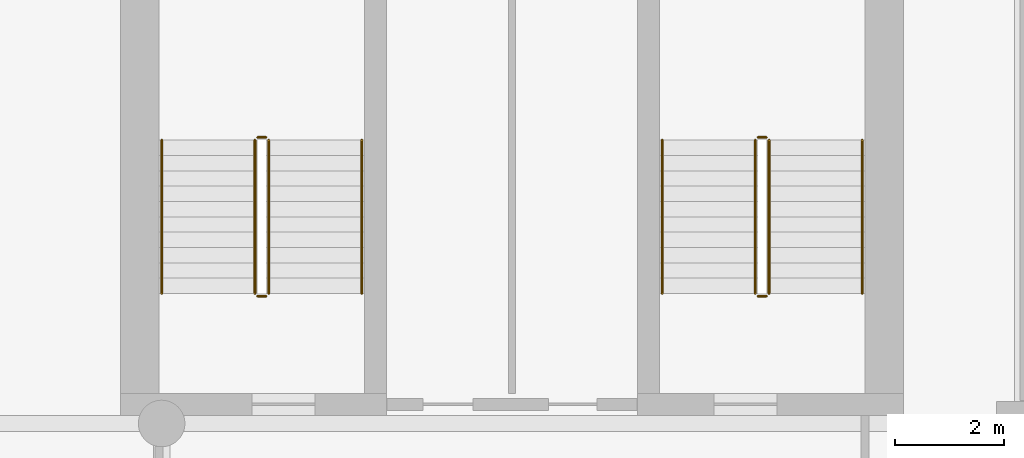
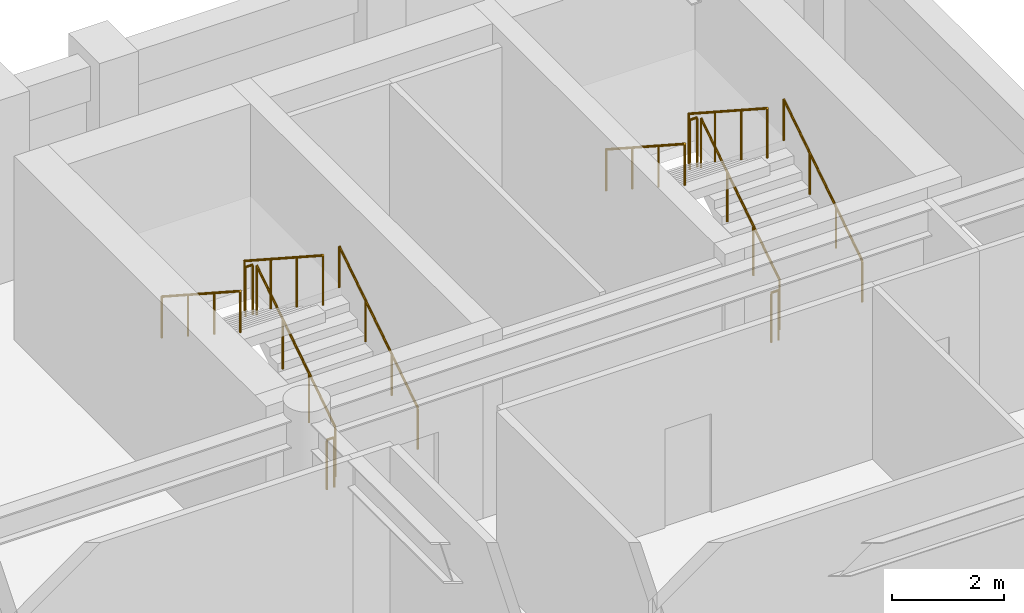
# One storey, part 8 of 8: 12 railings.
"""IFC4 building model written with IfcOpenShell, lengths in metres."""

import ifcopenshell
import ifcopenshell.guid

model = None  # the IFC model being written
_history = None  # IfcOwnerHistory: only IFC2X3 demands one
_inside = {}  # id of a spatial element -> (the spatial element, [elements in it])
_under = {}  # id of a project, library or spatial element -> (it, [spatial elements below it])
_declared = {}  # id of a project -> (the project, [libraries it declares])
_typed = {}  # id of a type object -> (the type object, [elements of that type])
_made_of = {}  # id of a material, layer set ... -> (it, [elements and type objects made of it])


def new_model(schema):
    """Start an empty IFC model of exactly this schema.

    Asked for "IFC4X3", IfcOpenShell would pick the latest addendum, in which some entities
    have other attributes; the version numbers below select the first issue.
    IFC2X3 requires an IfcOwnerHistory on every rooted entity: one is made here for all.
    """
    global model, _history
    if schema == "IFC4X3":
        model = ifcopenshell.file(schema_version=(4, 3, 0, 0))
    else:
        model = ifcopenshell.file(schema=schema)
    _inside.clear()
    _under.clear()
    _declared.clear()
    _typed.clear()
    _made_of.clear()
    _history = None
    if model.schema == "IFC2X3":
        org = make("IfcOrganization", Name="unknown")
        user = make(
            "IfcPersonAndOrganization",
            ThePerson=make("IfcPerson", FamilyName="unknown"),
            TheOrganization=org,
        )
        app = make(
            "IfcApplication",
            ApplicationDeveloper=org,
            Version="unknown",
            ApplicationFullName="unknown",
            ApplicationIdentifier="unknown",
        )
        _history = make(
            "IfcOwnerHistory",
            OwningUser=user,
            OwningApplication=app,
            ChangeAction="ADDED",
            CreationDate=0,
        )
    return model


def make(cls, **values):
    """One entity of the class cls with the attributes given. An attribute that is None is left unset."""
    return model.create_entity(
        cls, **{name: value for name, value in values.items() if value is not None}
    )


def rooted(cls, **values):
    """An entity with a GlobalId (a new one), such as an element, a storey or a relation."""
    return make(cls, GlobalId=ifcopenshell.guid.new(), OwnerHistory=_history, **values)


def si_unit(unit_type, name, prefix=None):
    """IfcSIUnit, for example si_unit("LENGTHUNIT", "METRE", prefix="MILLI")."""
    return make("IfcSIUnit", UnitType=unit_type, Prefix=prefix, Name=name)


def assignment(units):
    """IfcUnitAssignment: the units of a project."""
    return None if units is None else make("IfcUnitAssignment", Units=units)


def point(xyz):
    """IfcCartesianPoint."""
    return None if xyz is None else make("IfcCartesianPoint", Coordinates=xyz)


def direction(xyz):
    """IfcDirection."""
    return None if xyz is None else make("IfcDirection", DirectionRatios=xyz)


def frame(location, z_axis=None, x_axis=None):
    """IfcAxis2Placement3D, a coordinate frame: its origin and axes. An axis left out is left unset."""
    return make(
        "IfcAxis2Placement3D",
        Location=point(location),
        Axis=direction(z_axis),
        RefDirection=direction(x_axis),
    )


def frame_2d(location, x_axis=None):
    """IfcAxis2Placement2D, a coordinate frame in the plane: its origin and x axis."""
    return make(
        "IfcAxis2Placement2D", Location=point(location), RefDirection=direction(x_axis)
    )


def origin():
    """The frame at (0, 0, 0) with its axes left unset."""
    return frame((0.0, 0.0, 0.0))


def origin_2d():
    """The frame at (0, 0) in the plane with its x axis left unset."""
    return frame_2d((0.0, 0.0))


def place(relative_to, where):
    """IfcLocalPlacement: puts the frame where relative to a parent placement (None: the world)."""
    return make(
        "IfcLocalPlacement", PlacementRelTo=relative_to, RelativePlacement=where
    )


def context(
    kind, dimensions, precision=None, world=None, true_north=None, identifier=None
):
    """IfcGeometricRepresentationContext, for example the 3D "Model" context."""
    return make(
        "IfcGeometricRepresentationContext",
        ContextIdentifier=identifier,
        ContextType=kind,
        CoordinateSpaceDimension=dimensions,
        Precision=precision,
        WorldCoordinateSystem=world,
        TrueNorth=true_north,
    )


def subcontext(parent, identifier, kind, view, scale=None):
    """IfcGeometricRepresentationSubContext, for example "Body" below "Model"."""
    return make(
        "IfcGeometricRepresentationSubContext",
        ContextIdentifier=identifier,
        ContextType=kind,
        ParentContext=parent,
        TargetScale=scale,
        TargetView=view,
    )


def project(units=None, contexts=None):
    """IfcProject with its units and contexts."""
    return rooted(
        "IfcProject",
        Name="project",
        RepresentationContexts=contexts,
        UnitsInContext=assignment(units),
    )


def spatial(cls, under=None, at=None, **own):
    """A site, building, storey or space (cls), placed at a placement, below another one or the project."""
    s = rooted(cls, ObjectPlacement=at, **own)
    if under is not None:
        _under.setdefault(under.id(), (under, []))[1].append(s)
    return s


def profile(cls, at=None, kind="AREA", **sizes):
    """A parametric profile (cls). Its sizes go by their IFC names, for example OverallWidth=200.0."""
    return make(cls, ProfileType=kind, Position=at, **sizes)


def circle(**sizes):
    """IfcCircleProfileDef."""
    return profile("IfcCircleProfileDef", **sizes)


def extrude(swept, where, along, depth):
    """IfcExtrudedAreaSolid: the profile swept, set in the frame where, extruded along a direction by depth."""
    return make(
        "IfcExtrudedAreaSolid",
        SweptArea=swept,
        Position=where,
        ExtrudedDirection=direction(along),
        Depth=depth,
    )


def shape(context_of_items, identifier, shape_type, items):
    """IfcShapeRepresentation: the items that make up one representation, for example the "Body"."""
    return make(
        "IfcShapeRepresentation",
        ContextOfItems=context_of_items,
        RepresentationIdentifier=identifier,
        RepresentationType=shape_type,
        Items=items,
    )


def material(Name=None, Category=None):
    """IfcMaterial."""
    return make("IfcMaterial", Name=Name, Category=Category)


def made_of(thing, what):
    """Note that an element or type object is made of a material, layer set ...; save() writes the relation."""
    if what is not None:
        _made_of.setdefault(what.id(), (what, []))[1].append(thing)
    return thing


def type_object(cls, material=None, **own):
    """A type object (cls), such as IfcWallType, which elements share."""
    return made_of(rooted(cls, **own), material)


def element(
    cls,
    number,
    at=None,
    inside=None,
    cuts=None,
    type_object=None,
    material=None,
    context=None,
    identifier="Body",
    shape_type=None,
    held_by="IfcProductDefinitionShape",
    body=None,
    shapes=None,
    **own,
):
    """One element of the class cls, such as IfcWall. Its Tag is "e" and its number.

    at: its placement. inside: the storey or other place that contains it. cuts: it is an
    opening in that element (IfcRelVoidsElement). A single representation is given by context,
    identifier, shape_type and body (its items); several are given by shapes. held_by: the class
    of the entity that holds the representations. save() writes the other relations.
    """
    e = rooted(cls, Tag="e%d" % number, ObjectPlacement=at, **own)
    if body is not None:
        shapes = [shape(context, identifier, shape_type, body)]
    if shapes is not None:
        e.Representation = make(held_by, Representations=shapes)
    if inside is not None:
        _inside.setdefault(inside.id(), (inside, []))[1].append(e)
    if cuts is not None:
        rooted(
            "IfcRelVoidsElement", RelatingBuildingElement=cuts, RelatedOpeningElement=e
        )
    if type_object is not None:
        _typed.setdefault(type_object.id(), (type_object, []))[1].append(e)
    return made_of(e, material)


def aggregate(whole, parts):
    """IfcRelAggregates: a whole, such as a stair, and the parts it consists of."""
    return rooted("IfcRelAggregates", RelatingObject=whole, RelatedObjects=parts)


def save(model, path):
    """Write the relations noted so far, then the file.

    IfcRelAggregates (storeys below a building ...), IfcRelContainedInSpatialStructure (elements
    in a storey), IfcRelDefinesByType, IfcRelAssociatesMaterial and IfcRelDeclares: one each for
    every whole, place, type object, material and project.
    """
    for whole, parts in _under.values():
        aggregate(whole, parts)
    for where, things in _inside.values():
        rooted(
            "IfcRelContainedInSpatialStructure",
            RelatedElements=things,
            RelatingStructure=where,
        )
    for kind, things in _typed.values():
        rooted("IfcRelDefinesByType", RelatedObjects=things, RelatingType=kind)
    for what, things in _made_of.values():
        rooted("IfcRelAssociatesMaterial", RelatedObjects=things, RelatingMaterial=what)
    for by, libraries in _declared.values():
        rooted("IfcRelDeclares", RelatingContext=by, RelatedDefinitions=libraries)
    model.write(path)


model = new_model("IFC4")

# Units and contexts
model_context = context("Model", 3, precision=1e-05, world=origin(), true_north=direction((0.0, 1.0)))
body_context = subcontext(model_context, "Body", "Model", "MODEL_VIEW")
ifc_project = project(units=[si_unit("LENGTHUNIT", "METRE"), si_unit("AREAUNIT", "SQUARE_METRE"), si_unit("VOLUMEUNIT", "CUBIC_METRE"), si_unit("PLANEANGLEUNIT", "RADIAN"), si_unit("MASSUNIT", "GRAM", prefix="KILO")], contexts=[model_context])

# Site, building, storey
site_placement = place(None, origin())
site = spatial("IfcSite", under=ifc_project, at=site_placement, CompositionType="ELEMENT")
building_placement = place(site_placement, origin())
building = spatial("IfcBuilding", under=site, at=building_placement, Name="Sulina Concourse Tower", CompositionType="ELEMENT")
storey_placement = place(building_placement, frame((0.0, 0.0, 186.60009765625)))
storey = spatial("IfcBuildingStorey", under=building, at=storey_placement, Name="L45", CompositionType="ELEMENT", Elevation=186.60009765625)

# Railings
ifc_material_1 = material(Name="Galvanised steel railing", Category="steel")
railing_type_1 = type_object("IfcRailingType", Name="Core Stair Steel Guardrail 1150mm", PredefinedType="GUARDRAIL", material=ifc_material_1)
railing_1_placement = place(storey_placement, frame((43.554931640625, 36.375, 0.181640625)))
element("IfcRailing", 1, at=railing_1_placement, inside=storey, type_object=railing_type_1, Name="L45 ST-3 stair guard 1", PredefinedType="GUARDRAIL", context=body_context, shape_type="SweptSolid", body=[
    extrude(circle(Radius=0.02392578125, at=origin_2d()), frame((0.0, 0.0, 1.076171875), z_axis=(0.0, 0.838672427954, 0.544636170843), x_axis=(-1.0, 0.0, 0.0)), (0.0, 0.0, 1.0), 3.338623046875),
    extrude(circle(Radius=0.02099609375, at=origin_2d()), origin(), (0.0, 0.0, 1.0), 1.052001953125),
    extrude(circle(Radius=0.02099609375, at=origin_2d()), frame((0.0, 0.933349609375, 0.606201171875)), (0.0, 0.0, 1.0), 1.052001953125),
    extrude(circle(Radius=0.02099609375, at=origin_2d()), frame((0.0, 1.86669921875, 1.212158203125)), (0.0, 0.0, 1.0), 1.052001953125),
    extrude(circle(Radius=0.02099609375, at=origin_2d()), frame((0.0, 2.800048828125, 1.818359375)), (0.0, 0.0, 1.0), 1.052001953125),
])
railing_2_placement = place(storey_placement, frame((43.5048828125, 39.22509765625, 2.0)))
element("IfcRailing", 2, at=railing_2_placement, inside=storey, type_object=railing_type_1, Name="L45 ST-3 stair guard 2", PredefinedType="GUARDRAIL", context=body_context, shape_type="SweptSolid", body=[
    extrude(circle(Radius=0.02392578125, at=origin_2d()), frame((0.0, 0.0, 1.076171875), z_axis=(-1.0, 0.0, 0.0), x_axis=(0.0, -1.0, 0.0)), (0.0, 0.0, 1.0), 0.14990234375),
    extrude(circle(Radius=0.02099609375, at=origin_2d()), origin(), (0.0, 0.0, 1.0), 1.052001953125),
    extrude(circle(Radius=0.02099609375, at=origin_2d()), frame((-0.14990234375, 0.0, 0.0)), (0.0, 0.0, 1.0), 1.052001953125),
])
railing_3_placement = place(storey_placement, frame((43.304931640625, 39.175048828125, 2.181640625)))
element("IfcRailing", 3, at=railing_3_placement, inside=storey, type_object=railing_type_1, Name="L45 ST-3 stair guard 3", PredefinedType="GUARDRAIL", context=body_context, shape_type="SweptSolid", body=[
    extrude(circle(Radius=0.02392578125, at=origin_2d()), frame((0.0, 0.0, 1.076171875), z_axis=(0.0, -0.838672427954, 0.544636170843), x_axis=(1.0, 0.0, 0.0)), (0.0, 0.0, 1.0), 3.338623046875),
    extrude(circle(Radius=0.02099609375, at=origin_2d()), origin(), (0.0, 0.0, 1.0), 1.052001953125),
    extrude(circle(Radius=0.02099609375, at=origin_2d()), frame((0.0, -0.933349609375, 0.606201171875)), (0.0, 0.0, 1.0), 1.052001953125),
    extrude(circle(Radius=0.02099609375, at=origin_2d()), frame((0.0, -1.86669921875, 1.212158203125)), (0.0, 0.0, 1.0), 1.052001953125),
    extrude(circle(Radius=0.02099609375, at=origin_2d()), frame((0.0, -2.800048828125, 1.818359375)), (0.0, 0.0, 1.0), 1.052001953125),
])
railing_4_placement = place(storey_placement, frame((43.5048828125, 36.324951171875, 0.0)))
element("IfcRailing", 4, at=railing_4_placement, inside=storey, type_object=railing_type_1, Name="L45 ST-3 stair guard 4", PredefinedType="GUARDRAIL", context=body_context, shape_type="SweptSolid", body=[
    extrude(circle(Radius=0.02392578125, at=origin_2d()), frame((0.0, 0.0, 1.076171875), z_axis=(-1.0, 0.0, 0.0), x_axis=(0.0, -1.0, 0.0)), (0.0, 0.0, 1.0), 0.14990234375),
    extrude(circle(Radius=0.02099609375, at=origin_2d()), origin(), (0.0, 0.0, 1.0), 1.052001953125),
    extrude(circle(Radius=0.02099609375, at=origin_2d()), frame((-0.14990234375, 0.0, 0.0)), (0.0, 0.0, 1.0), 1.052001953125),
])
railing_5_placement = place(storey_placement, frame((52.695068359375, 36.375, 0.181640625)))
element("IfcRailing", 5, at=railing_5_placement, inside=storey, type_object=railing_type_1, Name="L45 ST-4 stair guard 1", PredefinedType="GUARDRAIL", context=body_context, shape_type="SweptSolid", body=[
    extrude(circle(Radius=0.02392578125, at=origin_2d()), frame((0.0, 0.0, 1.076171875), z_axis=(0.0, 0.838672427954, 0.544636170843), x_axis=(-1.0, 0.0, 0.0)), (0.0, 0.0, 1.0), 3.338623046875),
    extrude(circle(Radius=0.02099609375, at=origin_2d()), origin(), (0.0, 0.0, 1.0), 1.052001953125),
    extrude(circle(Radius=0.02099609375, at=origin_2d()), frame((0.0, 0.933349609375, 0.606201171875)), (0.0, 0.0, 1.0), 1.052001953125),
    extrude(circle(Radius=0.02099609375, at=origin_2d()), frame((0.0, 1.86669921875, 1.212158203125)), (0.0, 0.0, 1.0), 1.052001953125),
    extrude(circle(Radius=0.02099609375, at=origin_2d()), frame((0.0, 2.800048828125, 1.818359375)), (0.0, 0.0, 1.0), 1.052001953125),
])
railing_6_placement = place(storey_placement, frame((52.64501953125, 39.22509765625, 2.0)))
element("IfcRailing", 6, at=railing_6_placement, inside=storey, type_object=railing_type_1, Name="L45 ST-4 stair guard 2", PredefinedType="GUARDRAIL", context=body_context, shape_type="SweptSolid", body=[
    extrude(circle(Radius=0.02392578125, at=origin_2d()), frame((0.0, 0.0, 1.076171875), z_axis=(-1.0, 0.0, 0.0), x_axis=(0.0, -1.0, 0.0)), (0.0, 0.0, 1.0), 0.14990234375),
    extrude(circle(Radius=0.02099609375, at=origin_2d()), origin(), (0.0, 0.0, 1.0), 1.052001953125),
    extrude(circle(Radius=0.02099609375, at=origin_2d()), frame((-0.14990234375, 0.0, 0.0)), (0.0, 0.0, 1.0), 1.052001953125),
])
railing_7_placement = place(storey_placement, frame((52.445068359375, 39.175048828125, 2.181640625)))
element("IfcRailing", 7, at=railing_7_placement, inside=storey, type_object=railing_type_1, Name="L45 ST-4 stair guard 3", PredefinedType="GUARDRAIL", context=body_context, shape_type="SweptSolid", body=[
    extrude(circle(Radius=0.02392578125, at=origin_2d()), frame((0.0, 0.0, 1.076171875), z_axis=(0.0, -0.838672427954, 0.544636170843), x_axis=(1.0, 0.0, 0.0)), (0.0, 0.0, 1.0), 3.338623046875),
    extrude(circle(Radius=0.02099609375, at=origin_2d()), origin(), (0.0, 0.0, 1.0), 1.052001953125),
    extrude(circle(Radius=0.02099609375, at=origin_2d()), frame((0.0, -0.933349609375, 0.606201171875)), (0.0, 0.0, 1.0), 1.052001953125),
    extrude(circle(Radius=0.02099609375, at=origin_2d()), frame((0.0, -1.86669921875, 1.212158203125)), (0.0, 0.0, 1.0), 1.052001953125),
    extrude(circle(Radius=0.02099609375, at=origin_2d()), frame((0.0, -2.800048828125, 1.818359375)), (0.0, 0.0, 1.0), 1.052001953125),
])
railing_8_placement = place(storey_placement, frame((52.64501953125, 36.324951171875, 0.0)))
element("IfcRailing", 8, at=railing_8_placement, inside=storey, type_object=railing_type_1, Name="L45 ST-4 stair guard 4", PredefinedType="GUARDRAIL", context=body_context, shape_type="SweptSolid", body=[
    extrude(circle(Radius=0.02392578125, at=origin_2d()), frame((0.0, 0.0, 1.076171875), z_axis=(-1.0, 0.0, 0.0), x_axis=(0.0, -1.0, 0.0)), (0.0, 0.0, 1.0), 0.14990234375),
    extrude(circle(Radius=0.02099609375, at=origin_2d()), origin(), (0.0, 0.0, 1.0), 1.052001953125),
    extrude(circle(Radius=0.02099609375, at=origin_2d()), frame((-0.14990234375, 0.0, 0.0)), (0.0, 0.0, 1.0), 1.052001953125),
])
ifc_material_2 = material(Name="Galvanised steel railing", Category="steel")
railing_type_2 = type_object("IfcRailingType", Name="Stair Wall Steel Handrail 920mm", PredefinedType="HANDRAIL", material=ifc_material_2)
railing_9_placement = place(storey_placement, frame((45.2548828125, 36.375, 0.181640625)))
element("IfcRailing", 9, at=railing_9_placement, inside=storey, type_object=railing_type_2, Name="L45 ST-3 stair handrail 1", PredefinedType="HANDRAIL", context=body_context, shape_type="SweptSolid", body=[
    extrude(circle(Radius=0.02392578125, at=origin_2d()), frame((0.0, 0.0, 0.89599609375), z_axis=(0.0, 0.838672427954, 0.544636170843), x_axis=(-1.0, 0.0, 0.0)), (0.0, 0.0, 1.0), 3.338623046875),
    extrude(circle(Radius=0.02099609375, at=origin_2d()), origin(), (0.0, 0.0, 1.0), 0.871826171875),
    extrude(circle(Radius=0.02099609375, at=origin_2d()), frame((0.0, 0.933349609375, 0.606201171875)), (0.0, 0.0, 1.0), 0.871826171875),
    extrude(circle(Radius=0.02099609375, at=origin_2d()), frame((0.0, 1.86669921875, 1.212158203125)), (0.0, 0.0, 1.0), 0.871826171875),
    extrude(circle(Radius=0.02099609375, at=origin_2d()), frame((0.0, 2.800048828125, 1.818359375)), (0.0, 0.0, 1.0), 0.871826171875),
])
railing_10_placement = place(storey_placement, frame((41.60498046875, 39.175048828125, 2.181640625)))
element("IfcRailing", 10, at=railing_10_placement, inside=storey, type_object=railing_type_2, Name="L45 ST-3 stair handrail 2", PredefinedType="HANDRAIL", context=body_context, shape_type="SweptSolid", body=[
    extrude(circle(Radius=0.02392578125, at=origin_2d()), frame((0.0, 0.0, 0.89599609375), z_axis=(0.0, -0.838672427954, 0.544636170843), x_axis=(1.0, 0.0, 0.0)), (0.0, 0.0, 1.0), 3.338623046875),
    extrude(circle(Radius=0.02099609375, at=origin_2d()), origin(), (0.0, 0.0, 1.0), 0.871826171875),
    extrude(circle(Radius=0.02099609375, at=origin_2d()), frame((0.0, -0.933349609375, 0.606201171875)), (0.0, 0.0, 1.0), 0.871826171875),
    extrude(circle(Radius=0.02099609375, at=origin_2d()), frame((0.0, -1.86669921875, 1.212158203125)), (0.0, 0.0, 1.0), 0.871826171875),
    extrude(circle(Radius=0.02099609375, at=origin_2d()), frame((0.0, -2.800048828125, 1.818359375)), (0.0, 0.0, 1.0), 0.871826171875),
])
railing_11_placement = place(storey_placement, frame((54.39501953125, 36.375, 0.181640625)))
element("IfcRailing", 11, at=railing_11_placement, inside=storey, type_object=railing_type_2, Name="L45 ST-4 stair handrail 1", PredefinedType="HANDRAIL", context=body_context, shape_type="SweptSolid", body=[
    extrude(circle(Radius=0.02392578125, at=origin_2d()), frame((0.0, 0.0, 0.89599609375), z_axis=(0.0, 0.838672427954, 0.544636170843), x_axis=(-1.0, 0.0, 0.0)), (0.0, 0.0, 1.0), 3.338623046875),
    extrude(circle(Radius=0.02099609375, at=origin_2d()), origin(), (0.0, 0.0, 1.0), 0.871826171875),
    extrude(circle(Radius=0.02099609375, at=origin_2d()), frame((0.0, 0.933349609375, 0.606201171875)), (0.0, 0.0, 1.0), 0.871826171875),
    extrude(circle(Radius=0.02099609375, at=origin_2d()), frame((0.0, 1.86669921875, 1.212158203125)), (0.0, 0.0, 1.0), 0.871826171875),
    extrude(circle(Radius=0.02099609375, at=origin_2d()), frame((0.0, 2.800048828125, 1.818359375)), (0.0, 0.0, 1.0), 0.871826171875),
])
railing_12_placement = place(storey_placement, frame((50.7451171875, 39.175048828125, 2.181640625)))
element("IfcRailing", 12, at=railing_12_placement, inside=storey, type_object=railing_type_2, Name="L45 ST-4 stair handrail 2", PredefinedType="HANDRAIL", context=body_context, shape_type="SweptSolid", body=[
    extrude(circle(Radius=0.02392578125, at=origin_2d()), frame((0.0, 0.0, 0.89599609375), z_axis=(0.0, -0.838672427954, 0.544636170843), x_axis=(1.0, 0.0, 0.0)), (0.0, 0.0, 1.0), 3.338623046875),
    extrude(circle(Radius=0.02099609375, at=origin_2d()), origin(), (0.0, 0.0, 1.0), 0.871826171875),
    extrude(circle(Radius=0.02099609375, at=origin_2d()), frame((0.0, -0.933349609375, 0.606201171875)), (0.0, 0.0, 1.0), 0.871826171875),
    extrude(circle(Radius=0.02099609375, at=origin_2d()), frame((0.0, -1.86669921875, 1.212158203125)), (0.0, 0.0, 1.0), 0.871826171875),
    extrude(circle(Radius=0.02099609375, at=origin_2d()), frame((0.0, -2.800048828125, 1.818359375)), (0.0, 0.0, 1.0), 0.871826171875),
])

save(model, "model.ifc")
